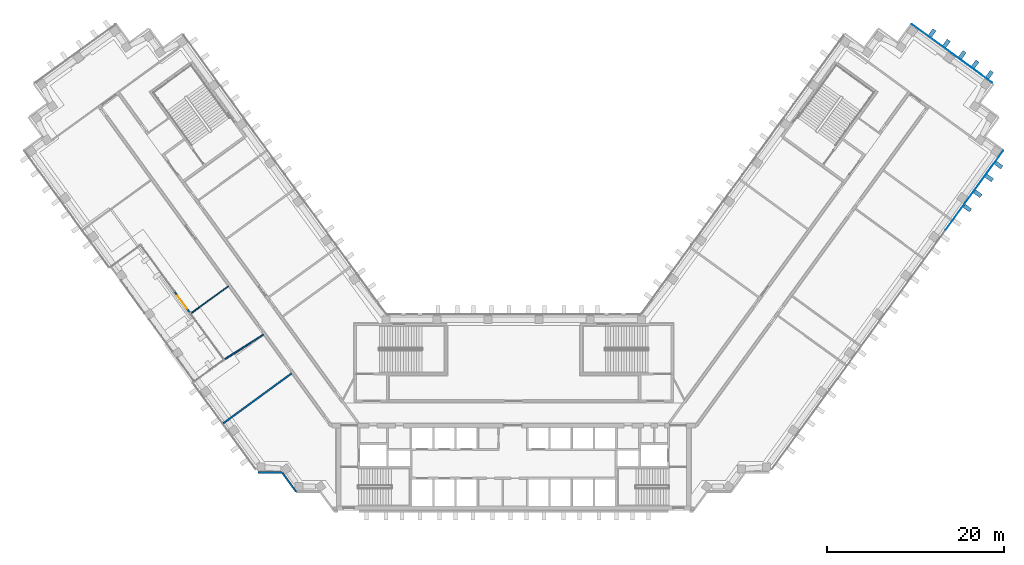
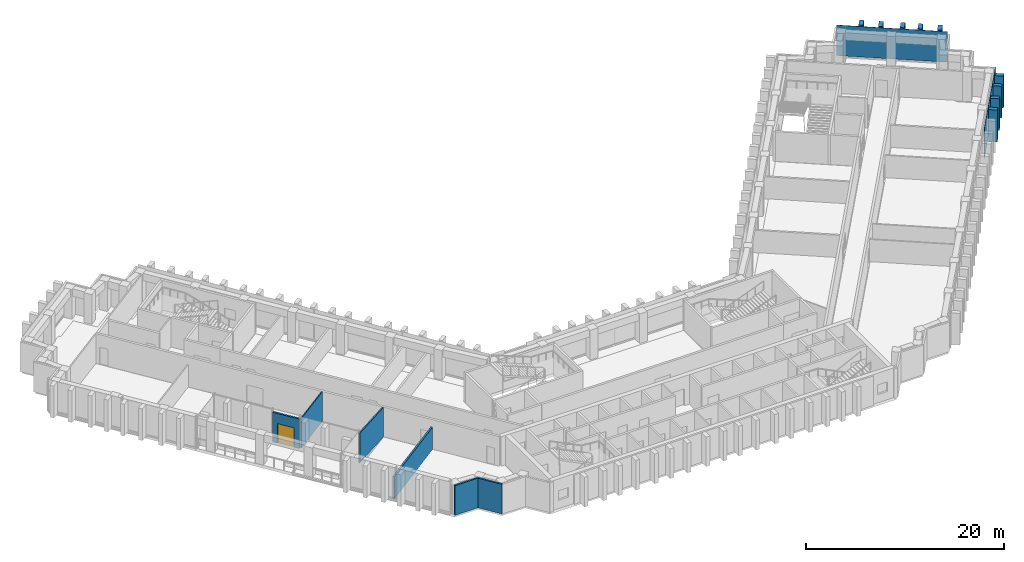
"""IFC4 building model written with IfcOpenShell, lengths in metres."""

from ifc_helpers import new_model, si_unit, direction, frame, frame_2d, origin, origin_2d, place, context, subcontext, project, spatial, rectangle, extrude, material, layer, layer_set, type_object, element, fill, aggregate, save


model = new_model("IFC4")

# Units and contexts
model_context = context("Model", 3, precision=1e-05, world=origin(), true_north=direction((0.0, 1.0)))
body_context = subcontext(model_context, "Body", "Model", "MODEL_VIEW")
ifc_project = project(units=[si_unit("LENGTHUNIT", "METRE"), si_unit("AREAUNIT", "SQUARE_METRE"), si_unit("VOLUMEUNIT", "CUBIC_METRE"), si_unit("PLANEANGLEUNIT", "RADIAN"), si_unit("MASSUNIT", "GRAM", prefix="KILO")], contexts=[model_context])

# Site, building, storey
site_placement = place(None, origin())
site = spatial("IfcSite", under=ifc_project, at=site_placement, CompositionType="ELEMENT")
building_placement = place(site_placement, origin())
building = spatial("IfcBuilding", under=site, at=building_placement, Name="Quipu Civic Tower", CompositionType="ELEMENT")
storey_1_placement = place(building_placement, frame((0.0, 0.0, 47.0)))
storey_1 = spatial("IfcBuildingStorey", under=building, at=storey_1_placement, Name="L10", CompositionType="ELEMENT", Elevation=47.0)

# Curtain wall
ifc_material_1 = material(Name="Insulated glass unit", Category="glass")
curtain_wall_type = type_object("IfcCurtainWallType", Name="Office curtain wall CW1", PredefinedType="NOTDEFINED", material=ifc_material_1)
curtain_wall_1_placement = place(storey_1_placement, origin())
curtain_wall_1 = element("IfcCurtainWall", 1, at=curtain_wall_1_placement, inside=storey_1, type_object=curtain_wall_type, Name="Office curtain wall CW1 L09 run 19", PredefinedType="NOTDEFINED")

# Storey
storey_2_placement = place(building_placement, frame((0.0, 0.0, 51.0)))
storey_2 = spatial("IfcBuildingStorey", under=building, at=storey_2_placement, Name="L11", CompositionType="ELEMENT", Elevation=51.0)

# Plate
ifc_material_2 = material(Name="Insulated glass unit", Category="glass")
ifc_layer_1 = layer(ifc_material_2, 0.028076171875)
ifc_layer_set_1 = layer_set([ifc_layer_1], Name="Insulated glass unit")
plate_type_1 = type_object("IfcPlateType", Name="Glass panel CW1", PredefinedType="CURTAIN_PANEL", material=ifc_layer_set_1)
plate_1_placement = place(storey_2_placement, frame((51.967529296875, 25.114990234375, 0.16015625), z_axis=(0.0, 0.0, 1.0), x_axis=(0.587785559869, 0.809016770908, 0.0)))
plate_1 = element("IfcPlate", 2, at=plate_1_placement, inside=storey_2, type_object=plate_type_1, Name="CW1 panel 4.3", PredefinedType="CURTAIN_PANEL", context=body_context, shape_type="SweptSolid", body=[
    extrude(rectangle(XDim=11.022705078125, YDim=0.028076171875, at=origin_2d()), origin(), (0.0, 0.0, 1.0), 3.760009765625),
])

aggregate(curtain_wall_1, [plate_1])

# Curtain wall, plate
curtain_wall_2_placement = place(storey_1_placement, origin())
curtain_wall_2 = element("IfcCurtainWall", 3, at=curtain_wall_2_placement, inside=storey_1, type_object=curtain_wall_type, Name="Office curtain wall CW1 L09 run 24", PredefinedType="NOTDEFINED")
plate_2_placement = place(storey_2_placement, frame((49.447998046875, 40.53173828125, 0.16015625), z_axis=(0.0, 0.0, 1.0), x_axis=(-0.809019348124, 0.587782012621, 0.0)))
plate_2 = element("IfcPlate", 4, at=plate_2_placement, inside=storey_2, type_object=plate_type_1, Name="CW1 panel 1.3", PredefinedType="CURTAIN_PANEL", context=body_context, shape_type="SweptSolid", body=[
    extrude(rectangle(XDim=11.239990234375, YDim=0.028076171875, at=origin_2d()), origin(), (0.0, 0.0, 1.0), 3.760009765625),
])
aggregate(curtain_wall_2, [plate_2])

# Plates
ifc_material_3 = material(Name="Precast concrete C40/50", Category="concrete")
plate_type_2 = type_object("IfcPlateType", Name="Precast fin F1", PredefinedType="SHEET", material=ifc_material_3)
for number, where, z_axis, x_axis, name in (
    (5, (51.17529296875, 23.0888671875, 0.080078125), (0.0, 0.0, 1.0), (0.587785716149, 0.809016657363, 0.0), "Precast fin F1 L11.P13.19"),
    (6, (52.350830078125, 24.706787109375, 0.080078125), (0.0, 0.0, 1.0), (0.587785716149, 0.809016657363, 0.0), "Precast fin F1 L11.P13.20"),
    (7, (53.643798828125, 26.48681640625, 0.080078125), (0.0, 0.0, 1.0), (0.587785716149, 0.809016657363, 0.0), "Precast fin F1 L11.P13.21"),
    (8, (54.701904296875, 27.94287109375, 0.080078125), (0.0, 0.0, 1.0), (0.587785716149, 0.809016657363, 0.0), "Precast fin F1 L11.P13.22"),
    (9, (53.6748046875, 38.140625, 0.080078125), (0.0, 0.0, 1.0), (-0.809021318545, 0.587779300537, 0.0), "Precast fin F1 L11.P18.1"),
    (10, (52.056884765625, 39.316162109375, 0.080078125), (0.0, 0.0, 1.0), (-0.809021318545, 0.587779300537, 0.0), "Precast fin F1 L11.P18.2"),
    (11, (50.6005859375, 40.374267578125, 0.080078125), (0.0, 0.0, 1.0), (-0.809021318545, 0.587779300537, 0.0), "Precast fin F1 L11.P18.3"),
    (12, (48.82080078125, 41.66748046875, 0.080078125), (0.0, 0.0, 1.0), (-0.809021318545, 0.587779300537, 0.0), "Precast fin F1 L11.P18.4"),
    (13, (47.20263671875, 42.843017578125, 0.080078125), (0.0, 0.0, 1.0), (-0.809021318545, 0.587779300537, 0.0), "Precast fin F1 L11.P18.5"),
):
    element("IfcPlate", number, at=place(storey_2_placement, frame(where, z_axis=z_axis, x_axis=x_axis)), inside=storey_2, type_object=plate_type_2, Name=name, PredefinedType="SHEET", context=body_context, shape_type="SweptSolid", body=[
        extrude(rectangle(XDim=0.449951171875, YDim=0.89990234375, at=origin_2d()), origin(), (0.0, 0.0, 1.0), 3.919921875),
    ])

# Walls
ifc_material_4 = material(Name="Double gypsum plasterboard with mineral wool")
ifc_layer_2 = layer(ifc_material_4, 0.14990234375)
ifc_layer_set_2 = layer_set([ifc_layer_2], Name="Double gypsum plasterboard with mineral wool")
wall_type_1 = type_object("IfcWallType", Name="Acoustic partition 150 plasterboard", PredefinedType="PARTITIONING", material=ifc_layer_set_2)
wall_1_placement = place(storey_2_placement, frame((-32.587646484375, 6.0458984375, 0.0), z_axis=(0.0, 0.0, 1.0), x_axis=(0.844203355537, 0.536023035419, 0.0)))
element("IfcWall", 14, at=wall_1_placement, inside=storey_2, type_object=wall_type_1, Name="Partition P10", PredefinedType="PARTITIONING", context=body_context, shape_type="SweptSolid", body=[
    extrude(rectangle(XDim=5.1904296875, YDim=0.14990234375, at=frame_2d((2.59521484375, 0.0))), origin(), (0.0, 0.0, 1.0), 3.64990234375),
])
ifc_material_5 = material(Name="Fired clay blockwork", Category="masonry")
ifc_layer_3 = layer(ifc_material_5, 0.199951171875)
ifc_layer_set_3 = layer_set([ifc_layer_3], Name="Fired clay blockwork")
wall_type_2 = type_object("IfcWallType", Name="Blockwork wall 200", PredefinedType="SOLIDWALL", material=ifc_layer_set_3)
wall_2_placement = place(storey_2_placement, frame((-32.74462890625, -1.1728515625, 0.0), z_axis=(0.0, 0.0, 1.0), x_axis=(0.80760371321, 0.589725565334, 0.0)))
element("IfcWall", 15, at=wall_2_placement, inside=storey_2, type_object=wall_type_2, Name="Partition P16", PredefinedType="SOLIDWALL", context=body_context, shape_type="SweptSolid", body=[
    extrude(rectangle(XDim=9.55029296875, YDim=0.199951171875, at=frame_2d((4.775146484375, 0.0))), origin(), (0.0, 0.0, 1.0), 2.75),
])
ifc_material_6 = material(Name="Gypsum plasterboard on light gauge framing")
ifc_layer_4 = layer(ifc_material_6, 0.1201171875)
ifc_layer_set_4 = layer_set([ifc_layer_4], Name="Gypsum plasterboard on light gauge framing")
wall_type_3 = type_object("IfcWallType", Name="Partition 120 plasterboard", PredefinedType="PARTITIONING", material=ifc_layer_set_4)
wall_3_placement = place(storey_2_placement, frame((-36.36279296875, 11.244384765625, 0.0), z_axis=(0.0, 0.0, 1.0), x_axis=(0.808994947111, 0.587815596551, 0.0)))
element("IfcWall", 16, at=wall_3_placement, inside=storey_2, type_object=wall_type_3, Name="Partition P04", PredefinedType="PARTITIONING", context=body_context, shape_type="SweptSolid", body=[
    extrude(rectangle(XDim=5.177978515625, YDim=0.1201171875, at=frame_2d((2.5888671875, 0.0))), origin(), (0.0, 0.0, 1.0), 3.64990234375),
])
ifc_material_7 = material(Name="Precast concrete C40/50", Category="concrete")
wall_type_4 = type_object("IfcWallType", Name="Precast cladding wall", PredefinedType="SOLIDWALL", material=ifc_material_7)
wall_4_placement = place(storey_2_placement, frame((-28.829833984375, -6.71923828125, 0.0), z_axis=(0.0, 0.0, 1.0), x_axis=(1.0, 0.0, 0.0)))
element("IfcWall", 17, at=wall_4_placement, inside=storey_2, type_object=wall_type_4, Name="Precast cladding wall L11 P01", PredefinedType="SOLIDWALL", context=body_context, shape_type="SweptSolid", body=[
    extrude(rectangle(XDim=2.699951171875, YDim=0.199951171875, at=frame_2d((1.35009765625, 0.0))), origin(), (0.0, 0.0, 1.0), 3.64990234375),
])
wall_5_placement = place(storey_2_placement, frame((-26.1201171875, -6.72412109375, 0.0), z_axis=(0.0, 0.0, 1.0), x_axis=(0.587720002413, -0.809064397168, 0.0)))
element("IfcWall", 18, at=wall_5_placement, inside=storey_2, type_object=wall_type_4, Name="Precast cladding wall L11 P02", PredefinedType="SOLIDWALL", context=body_context, shape_type="SweptSolid", body=[
    extrude(rectangle(XDim=2.7001953125, YDim=0.199951171875, at=frame_2d((1.35009765625, 0.0))), origin(), (0.0, 0.0, 1.0), 3.64990234375),
])

# Wall, opening, door
ifc_material_8 = material(Name="Precast concrete C40/50", Category="concrete")
wall_type_5 = type_object("IfcWallType", Name="Precast door surround", PredefinedType="SOLIDWALL", material=ifc_material_8)
wall_6_placement = place(storey_2_placement, frame((-36.5048828125, 11.269775390625, 0.0), z_axis=(0.0, 0.0, 1.0), x_axis=(-0.58782869016, 0.808985433135, 0.0)))
wall_6 = element("IfcWall", 19, at=wall_6_placement, inside=storey_2, type_object=wall_type_5, Name="Door surround ED-L11-1", PredefinedType="SOLIDWALL", context=body_context, shape_type="SweptSolid", body=[
    extrude(rectangle(XDim=2.962890625, YDim=0.199951171875, at=frame_2d((1.4814453125, 0.0))), origin(), (0.0, 0.0, 1.0), 3.64990234375),
])
opening_placement = place(wall_6_placement, frame((0.58154296875, 0.0, 0.0)))
opening = element("IfcOpeningElement", 20, at=opening_placement, cuts=wall_6, Name="Opening ED-L11-1", PredefinedType="OPENING", context=body_context, shape_type="SweptSolid", body=[
    extrude(rectangle(XDim=1.800048828125, YDim=2.39990234375, at=frame_2d((0.89990234375, 1.199951171875))), frame((0.0, 0.10986328125, 0.0), z_axis=(0.0, -1.0, 0.0), x_axis=(1.0, 0.0, 0.0)), (0.0, 0.0, 1.0), 0.219970703125),
])
ifc_material_9 = material(Name="Aluminium framed glazed door", Category="aluminium")
door_type = type_object("IfcDoorType", Name="Terrace door E3", OperationType="DOUBLE_DOOR_SINGLE_SWING", PredefinedType="DOOR", material=ifc_material_9)
door_placement = place(opening_placement, origin())
door = element("IfcDoor", 21, at=door_placement, inside=storey_2, type_object=door_type, Name="E3 door ED-L11-1", OperationType="DOUBLE_DOOR_SINGLE_SWING", OverallHeight=2.39990234375, OverallWidth=1.800048828125, PredefinedType="DOOR", context=body_context, shape_type="SweptSolid", body=[
    extrude(rectangle(XDim=1.800048828125, YDim=2.39990234375, at=frame_2d((0.89990234375, 1.199951171875))), frame((0.0, 0.02490234375, 0.0), z_axis=(0.0, -1.0, 0.0), x_axis=(1.0, 0.0, 0.0)), (0.0, 0.0, 1.0), 0.050048828125),
])
fill(opening, door)

save(model, "model.ifc")
